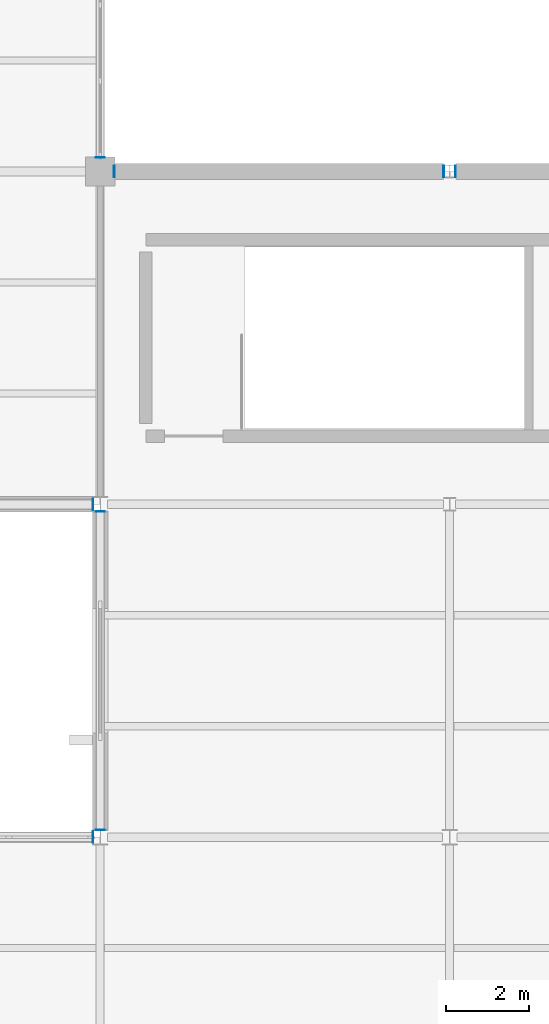
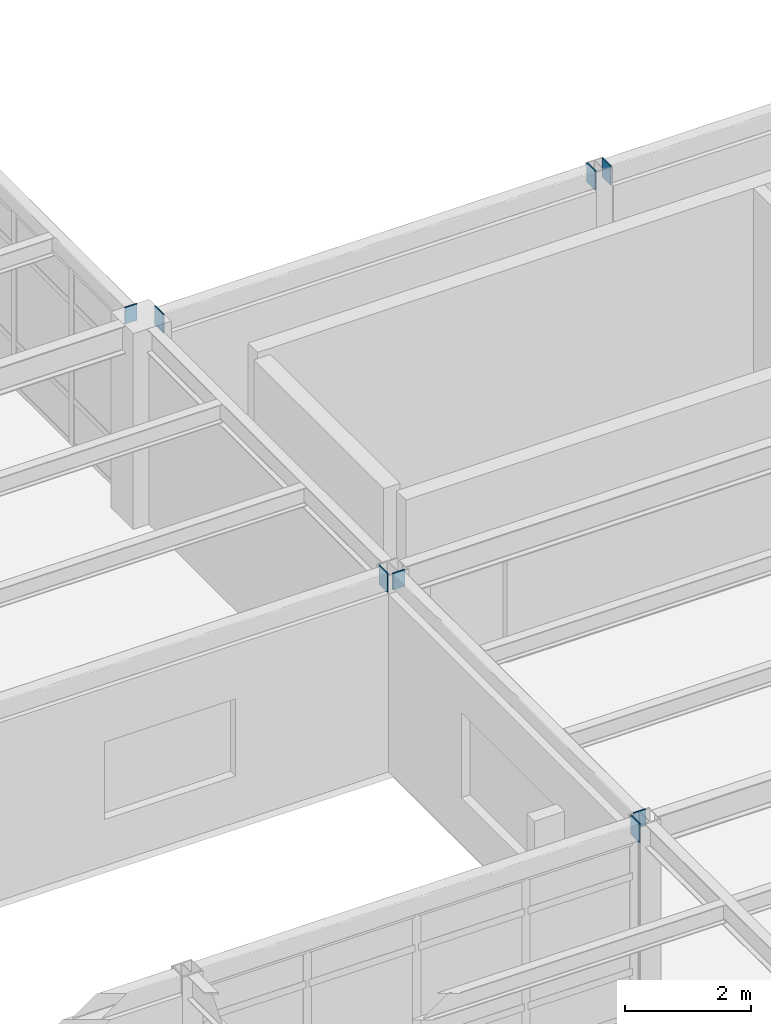
# One storey, part 90 of 138: 8 discrete accessories.
"""IFC4 building model written with IfcOpenShell, lengths in metres."""

import ifcopenshell
import ifcopenshell.guid

model = None  # the IFC model being written
_history = None  # IfcOwnerHistory: only IFC2X3 demands one
_inside = {}  # id of a spatial element -> (the spatial element, [elements in it])
_under = {}  # id of a project, library or spatial element -> (it, [spatial elements below it])
_declared = {}  # id of a project -> (the project, [libraries it declares])
_typed = {}  # id of a type object -> (the type object, [elements of that type])
_made_of = {}  # id of a material, layer set ... -> (it, [elements and type objects made of it])


def new_model(schema):
    """Start an empty IFC model of exactly this schema.

    Asked for "IFC4X3", IfcOpenShell would pick the latest addendum, in which some entities
    have other attributes; the version numbers below select the first issue.
    IFC2X3 requires an IfcOwnerHistory on every rooted entity: one is made here for all.
    """
    global model, _history
    if schema == "IFC4X3":
        model = ifcopenshell.file(schema_version=(4, 3, 0, 0))
    else:
        model = ifcopenshell.file(schema=schema)
    _inside.clear()
    _under.clear()
    _declared.clear()
    _typed.clear()
    _made_of.clear()
    _history = None
    if model.schema == "IFC2X3":
        org = make("IfcOrganization", Name="unknown")
        user = make(
            "IfcPersonAndOrganization",
            ThePerson=make("IfcPerson", FamilyName="unknown"),
            TheOrganization=org,
        )
        app = make(
            "IfcApplication",
            ApplicationDeveloper=org,
            Version="unknown",
            ApplicationFullName="unknown",
            ApplicationIdentifier="unknown",
        )
        _history = make(
            "IfcOwnerHistory",
            OwningUser=user,
            OwningApplication=app,
            ChangeAction="ADDED",
            CreationDate=0,
        )
    return model


def make(cls, **values):
    """One entity of the class cls with the attributes given. An attribute that is None is left unset."""
    return model.create_entity(
        cls, **{name: value for name, value in values.items() if value is not None}
    )


def rooted(cls, **values):
    """An entity with a GlobalId (a new one), such as an element, a storey or a relation."""
    return make(cls, GlobalId=ifcopenshell.guid.new(), OwnerHistory=_history, **values)


def si_unit(unit_type, name, prefix=None):
    """IfcSIUnit, for example si_unit("LENGTHUNIT", "METRE", prefix="MILLI")."""
    return make("IfcSIUnit", UnitType=unit_type, Prefix=prefix, Name=name)


def assignment(units):
    """IfcUnitAssignment: the units of a project."""
    return None if units is None else make("IfcUnitAssignment", Units=units)


def point(xyz):
    """IfcCartesianPoint."""
    return None if xyz is None else make("IfcCartesianPoint", Coordinates=xyz)


def direction(xyz):
    """IfcDirection."""
    return None if xyz is None else make("IfcDirection", DirectionRatios=xyz)


def frame(location, z_axis=None, x_axis=None):
    """IfcAxis2Placement3D, a coordinate frame: its origin and axes. An axis left out is left unset."""
    return make(
        "IfcAxis2Placement3D",
        Location=point(location),
        Axis=direction(z_axis),
        RefDirection=direction(x_axis),
    )


def frame_2d(location, x_axis=None):
    """IfcAxis2Placement2D, a coordinate frame in the plane: its origin and x axis."""
    return make(
        "IfcAxis2Placement2D", Location=point(location), RefDirection=direction(x_axis)
    )


def origin():
    """The frame at (0, 0, 0) with its axes left unset."""
    return frame((0.0, 0.0, 0.0))


def origin_2d():
    """The frame at (0, 0) in the plane with its x axis left unset."""
    return frame_2d((0.0, 0.0))


def place(relative_to, where):
    """IfcLocalPlacement: puts the frame where relative to a parent placement (None: the world)."""
    return make(
        "IfcLocalPlacement", PlacementRelTo=relative_to, RelativePlacement=where
    )


def context(
    kind, dimensions, precision=None, world=None, true_north=None, identifier=None
):
    """IfcGeometricRepresentationContext, for example the 3D "Model" context."""
    return make(
        "IfcGeometricRepresentationContext",
        ContextIdentifier=identifier,
        ContextType=kind,
        CoordinateSpaceDimension=dimensions,
        Precision=precision,
        WorldCoordinateSystem=world,
        TrueNorth=true_north,
    )


def subcontext(parent, identifier, kind, view, scale=None):
    """IfcGeometricRepresentationSubContext, for example "Body" below "Model"."""
    return make(
        "IfcGeometricRepresentationSubContext",
        ContextIdentifier=identifier,
        ContextType=kind,
        ParentContext=parent,
        TargetScale=scale,
        TargetView=view,
    )


def project(units=None, contexts=None):
    """IfcProject with its units and contexts."""
    return rooted(
        "IfcProject",
        Name="project",
        RepresentationContexts=contexts,
        UnitsInContext=assignment(units),
    )


def spatial(cls, under=None, at=None, **own):
    """A site, building, storey or space (cls), placed at a placement, below another one or the project."""
    s = rooted(cls, ObjectPlacement=at, **own)
    if under is not None:
        _under.setdefault(under.id(), (under, []))[1].append(s)
    return s


def profile(cls, at=None, kind="AREA", **sizes):
    """A parametric profile (cls). Its sizes go by their IFC names, for example OverallWidth=200.0."""
    return make(cls, ProfileType=kind, Position=at, **sizes)


def rectangle(**sizes):
    """IfcRectangleProfileDef."""
    return profile("IfcRectangleProfileDef", **sizes)


def extrude(swept, where, along, depth):
    """IfcExtrudedAreaSolid: the profile swept, set in the frame where, extruded along a direction by depth."""
    return make(
        "IfcExtrudedAreaSolid",
        SweptArea=swept,
        Position=where,
        ExtrudedDirection=direction(along),
        Depth=depth,
    )


def shape(context_of_items, identifier, shape_type, items):
    """IfcShapeRepresentation: the items that make up one representation, for example the "Body"."""
    return make(
        "IfcShapeRepresentation",
        ContextOfItems=context_of_items,
        RepresentationIdentifier=identifier,
        RepresentationType=shape_type,
        Items=items,
    )


def material(Name=None, Category=None):
    """IfcMaterial."""
    return make("IfcMaterial", Name=Name, Category=Category)


def layer(
    of_material, thickness, ventilated=None, Name=None, Category=None, Priority=None
):
    """IfcMaterialLayer: one layer of a wall or slab, of a material (None: an air gap)."""
    return make(
        "IfcMaterialLayer",
        Material=of_material,
        LayerThickness=thickness,
        IsVentilated=ventilated,
        Name=Name,
        Category=Category,
        Priority=Priority,
    )


def layer_set(layers, Name=None):
    """IfcMaterialLayerSet."""
    return make("IfcMaterialLayerSet", MaterialLayers=layers, LayerSetName=Name)


def made_of(thing, what):
    """Note that an element or type object is made of a material, layer set ...; save() writes the relation."""
    if what is not None:
        _made_of.setdefault(what.id(), (what, []))[1].append(thing)
    return thing


def type_object(cls, material=None, **own):
    """A type object (cls), such as IfcWallType, which elements share."""
    return made_of(rooted(cls, **own), material)


def element(
    cls,
    number,
    at=None,
    inside=None,
    cuts=None,
    type_object=None,
    material=None,
    context=None,
    identifier="Body",
    shape_type=None,
    held_by="IfcProductDefinitionShape",
    body=None,
    shapes=None,
    **own,
):
    """One element of the class cls, such as IfcWall. Its Tag is "e" and its number.

    at: its placement. inside: the storey or other place that contains it. cuts: it is an
    opening in that element (IfcRelVoidsElement). A single representation is given by context,
    identifier, shape_type and body (its items); several are given by shapes. held_by: the class
    of the entity that holds the representations. save() writes the other relations.
    """
    e = rooted(cls, Tag="e%d" % number, ObjectPlacement=at, **own)
    if body is not None:
        shapes = [shape(context, identifier, shape_type, body)]
    if shapes is not None:
        e.Representation = make(held_by, Representations=shapes)
    if inside is not None:
        _inside.setdefault(inside.id(), (inside, []))[1].append(e)
    if cuts is not None:
        rooted(
            "IfcRelVoidsElement", RelatingBuildingElement=cuts, RelatedOpeningElement=e
        )
    if type_object is not None:
        _typed.setdefault(type_object.id(), (type_object, []))[1].append(e)
    return made_of(e, material)


def aggregate(whole, parts):
    """IfcRelAggregates: a whole, such as a stair, and the parts it consists of."""
    return rooted("IfcRelAggregates", RelatingObject=whole, RelatedObjects=parts)


def save(model, path):
    """Write the relations noted so far, then the file.

    IfcRelAggregates (storeys below a building ...), IfcRelContainedInSpatialStructure (elements
    in a storey), IfcRelDefinesByType, IfcRelAssociatesMaterial and IfcRelDeclares: one each for
    every whole, place, type object, material and project.
    """
    for whole, parts in _under.values():
        aggregate(whole, parts)
    for where, things in _inside.values():
        rooted(
            "IfcRelContainedInSpatialStructure",
            RelatedElements=things,
            RelatingStructure=where,
        )
    for kind, things in _typed.values():
        rooted("IfcRelDefinesByType", RelatedObjects=things, RelatingType=kind)
    for what, things in _made_of.values():
        rooted("IfcRelAssociatesMaterial", RelatedObjects=things, RelatingMaterial=what)
    for by, libraries in _declared.values():
        rooted("IfcRelDeclares", RelatingContext=by, RelatedDefinitions=libraries)
    model.write(path)


model = new_model("IFC4")

# Units and contexts
model_context = context("Model", 3, precision=1e-05, world=origin(), true_north=direction((0.0, 1.0)))
body_context = subcontext(model_context, "Body", "Model", "MODEL_VIEW")
ifc_project = project(units=[si_unit("LENGTHUNIT", "METRE"), si_unit("AREAUNIT", "SQUARE_METRE"), si_unit("VOLUMEUNIT", "CUBIC_METRE"), si_unit("PLANEANGLEUNIT", "RADIAN"), si_unit("MASSUNIT", "GRAM", prefix="KILO")], contexts=[model_context])

# Site, building, storey
site_placement = place(None, origin())
site = spatial("IfcSite", under=ifc_project, at=site_placement, CompositionType="ELEMENT")
building_placement = place(site_placement, origin())
building = spatial("IfcBuilding", under=site, at=building_placement, Name="Kranzveld Transit Interchange", CompositionType="ELEMENT")
storey_placement = place(building_placement, frame((0.0, 0.0, 5.43994140625)))
storey = spatial("IfcBuildingStorey", under=building, at=storey_placement, Name="L01", CompositionType="ELEMENT", Elevation=5.43994140625)

# Discrete accessories
ifc_material = material(Name="Steel S355JR", Category="steel")
ifc_layer = layer(ifc_material, 0.02001953125)
ifc_layer_set = layer_set([ifc_layer], Name="Steel S355JR")
discrete_accessory_type = type_object("IfcDiscreteAccessoryType", Name="Hollow Section End Cap Bracket 20 S355JR", PredefinedType="BRACKET", material=ifc_layer_set)
for number, where, z_axis, x_axis, name in (
    (1, (33.418701171875, 40.0, 3.625), (1.0, 0.0, 0.0), (0.0, 1.0, 0.0), "Hollow Section End Cap SP-RHS350-2"),
    (2, (33.418701171875, 48.0, 3.625), (1.0, 0.0, 0.0), (0.0, 1.0, 0.0), "Hollow Section End Cap SP-RHS350-2"),
    (3, (33.944091796875, 56.0, 3.625), (-1.0, 0.0, 0.0), (0.0, -1.0, 0.0), "Hollow Section End Cap SP-RHS350-1"),
    (4, (41.851318359375, 56.0, 3.625), (1.0, 0.0, 0.0), (0.0, 1.0, 0.0), "Hollow Section End Cap SP-RHS350-2"),
    (5, (42.148681640625, 56.0, 3.625), (-1.0, 0.0, 0.0), (0.0, -1.0, 0.0), "Hollow Section End Cap SP-RHS350-1"),
):
    element("IfcDiscreteAccessory", number, at=place(storey_placement, frame(where, z_axis=z_axis, x_axis=x_axis)), inside=storey, type_object=discrete_accessory_type, Name=name, PredefinedType="BRACKET", context=body_context, shape_type="SweptSolid", body=[
        extrude(rectangle(XDim=0.27392578125, YDim=0.3740234375, at=origin_2d()), origin(), (0.0, 0.0, 1.0), 0.02001953125),
    ])
for number, where, z_axis, x_axis, name in (
    (6, (33.60009765625, 40.181396484375, 3.650146484375), (0.0, -1.0, 0.0), (1.0, 0.0, 0.0), "Hollow Section End Cap SP-RHS300-1"),
    (7, (33.60009765625, 47.818603515625, 3.650146484375), (0.0, 1.0, 0.0), (-1.0, 0.0, 0.0), "Hollow Section End Cap SP-RHS300-2"),
    (8, (33.60009765625, 56.343994140625, 3.650146484375), (0.0, -1.0, 0.0), (1.0, 0.0, 0.0), "Hollow Section End Cap SP-RHS300-1"),
):
    element("IfcDiscreteAccessory", number, at=place(storey_placement, frame(where, z_axis=z_axis, x_axis=x_axis)), inside=storey, type_object=discrete_accessory_type, Name=name, PredefinedType="BRACKET", context=body_context, shape_type="SweptSolid", body=[
        extrude(rectangle(XDim=0.22412109375, YDim=0.323974609375, at=origin_2d()), origin(), (0.0, 0.0, 1.0), 0.02001953125),
    ])

save(model, "model.ifc")
